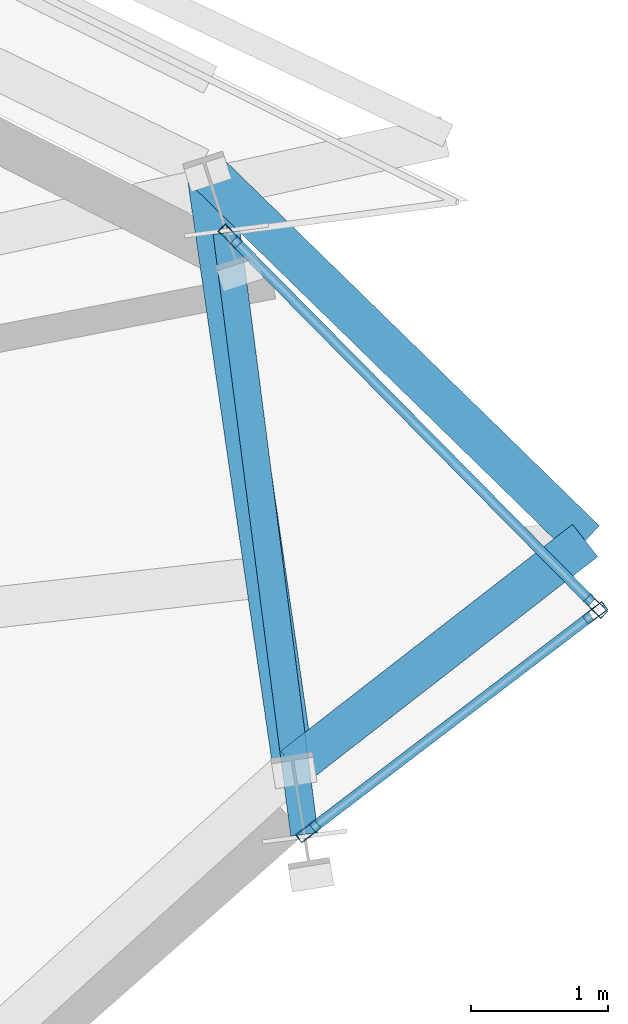
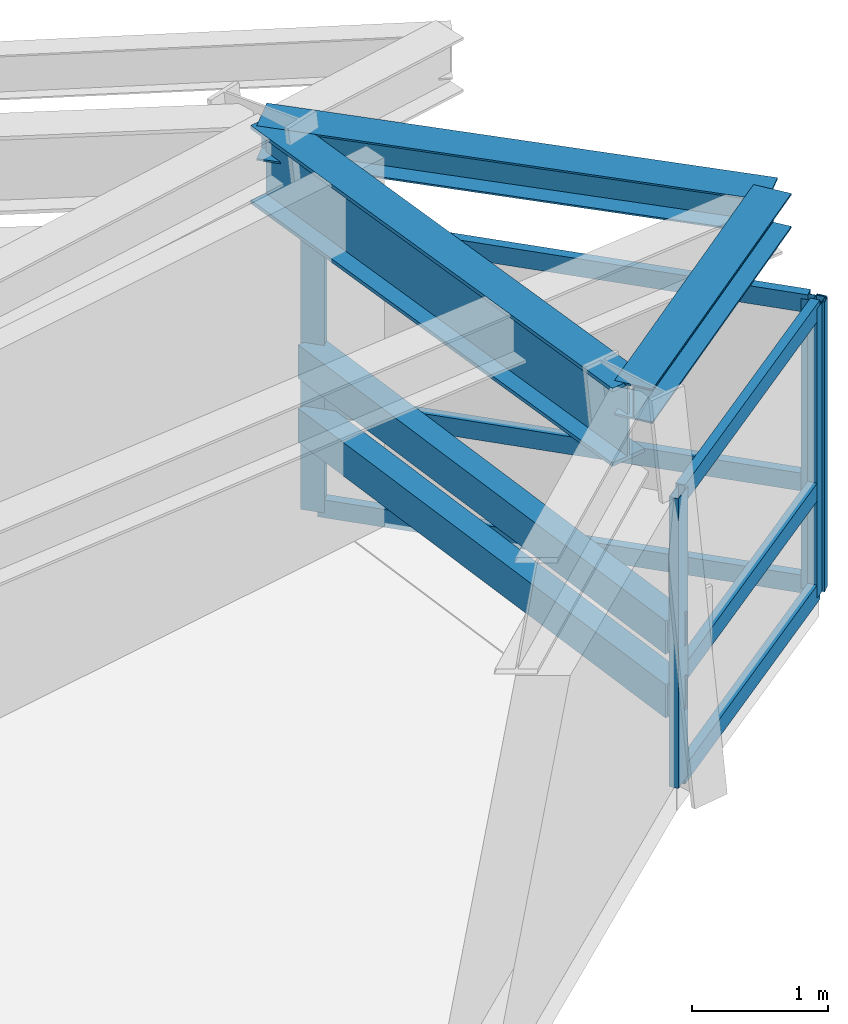
# One storey, part 8 of 24: 12 members, 3 beams, 2 elements without a shape of their own.
"""IFC4 building model written with IfcOpenShell, lengths in metres."""

from ifc_helpers import new_model, si_unit, direction, frame, origin, origin_2d, place, context, subcontext, project, spatial, hollow_rectangle, i_section, extrude, source, transform, mapped, material, material_profile, profile_set, type_object, element, aggregate, save


model = new_model("IFC4")

# Units and contexts
model_context = context("Model", 3, precision=1e-05, world=origin(), true_north=direction((0.0, 1.0)))
body_context = subcontext(model_context, "Body", "Model", "MODEL_VIEW")
ifc_project = project(units=[si_unit("LENGTHUNIT", "METRE"), si_unit("AREAUNIT", "SQUARE_METRE"), si_unit("VOLUMEUNIT", "CUBIC_METRE"), si_unit("PLANEANGLEUNIT", "RADIAN"), si_unit("MASSUNIT", "GRAM", prefix="KILO")], contexts=[model_context])

# Site, building, storey
site_placement = place(None, origin())
site = spatial("IfcSite", under=ifc_project, at=site_placement, CompositionType="ELEMENT")
building_placement = place(site_placement, origin())
building = spatial("IfcBuilding", under=site, at=building_placement, Name="Olszyna Solenne Hotel", CompositionType="ELEMENT")
storey_placement = place(building_placement, frame((0.0, 0.0, 64.800048828125)))
storey = spatial("IfcBuildingStorey", under=building, at=storey_placement, Name="L16", CompositionType="ELEMENT", Elevation=64.800048828125)

# Beams
ifc_material_1 = material(Name="Steel S355J2", Category="steel")
ifc_material_profile_1 = material_profile(ifc_material_1, i_section(OverallWidth=0.300048828125, OverallDepth=0.699951171875, WebThickness=0.01708984375, FlangeThickness=0.031982421875, at=origin_2d()), Name="HEB 700", Category="load-bearing")
ifc_profile_set_1 = profile_set([ifc_material_profile_1], Name="Steel S355J2")
beam_type_1 = type_object("IfcBeamType", Name="BM-S1", PredefinedType="BEAM", material=ifc_profile_set_1)
shared_shape_1 = source(origin(), body_context, "Body", "SweptSolid", [
    extrude(i_section(OverallWidth=0.300048828125, OverallDepth=0.699951171875, WebThickness=0.01708984375, FlangeThickness=0.031982421875, at=origin_2d()), origin(), (0.0, 0.0, 1.0), 4.28173828125),
])
beam_1_placement = place(storey_placement, frame((68.4697265625, 29.0244140625, 2.949951171875), z_axis=(-0.14352053203, 0.989647339655, 0.0), x_axis=(-0.989647339655, -0.14352053203, 0.0)))
element("IfcBeam", 1, at=beam_1_placement, inside=storey, type_object=beam_type_1, Name="Perimeter spandrel beam BM-S1 B-L16-0495", PredefinedType="BEAM", context=body_context, shape_type="MappedRepresentation", body=[
    mapped(shared_shape_1, transform((0.0, 0.0, 0.0), x_axis=(1.0, 0.0, 0.0), y_axis=(0.0, 1.0, 0.0), z_axis=(0.0, 0.0, 1.0), scale=1.0)),
])
ifc_material_profile_2 = material_profile(ifc_material_1, i_section(OverallWidth=0.300048828125, OverallDepth=0.31005859375, WebThickness=0.009033203125, FlangeThickness=0.015380859375, at=origin_2d()), Name="HEA 320", Category="load-bearing")
ifc_profile_set_2 = profile_set([ifc_material_profile_2], Name="Steel S355J2")
beam_type_2 = type_object("IfcBeamType", Name="BM-G3", PredefinedType="BEAM", material=ifc_profile_set_2)
shared_shape_2 = source(origin(), body_context, "Body", "SweptSolid", [
    extrude(i_section(OverallWidth=0.300048828125, OverallDepth=0.31005859375, WebThickness=0.009033203125, FlangeThickness=0.015380859375, at=origin_2d()), origin(), (0.0, 0.0, 1.0), 2.70263671875),
])
beam_2_placement = place(storey_placement, frame((68.478271484375, 28.965087890625, 3.14501953125), z_axis=(0.78963912607, 0.613571552942, 0.0), x_axis=(-0.613571552942, 0.78963912607, 0.0)))
element("IfcBeam", 2, at=beam_2_placement, inside=storey, type_object=beam_type_2, Name="Prism side edge beam BM-G3 B-L16-0516", PredefinedType="BEAM", context=body_context, shape_type="MappedRepresentation", body=[
    mapped(shared_shape_2, transform((0.0, 0.0, 0.0), x_axis=(1.0, 0.0, 0.0), y_axis=(0.0, 1.0, 0.0), z_axis=(0.0, 0.0, 1.0), scale=1.0)),
])
shared_shape_3 = source(origin(), body_context, "Body", "SweptSolid", [
    extrude(i_section(OverallWidth=0.300048828125, OverallDepth=0.31005859375, WebThickness=0.009033203125, FlangeThickness=0.015380859375, at=origin_2d()), origin(), (0.0, 0.0, 1.0), 3.86376953125),
])
beam_3_placement = place(storey_placement, frame((67.8466796875, 33.3212890625, 3.14501953125), z_axis=(0.715804288507, -0.698300952709, 0.0), x_axis=(0.698300952709, 0.715804288507, 0.0)))
element("IfcBeam", 3, at=beam_3_placement, inside=storey, type_object=beam_type_2, Name="Prism side edge beam BM-G3 B-L16-0517", PredefinedType="BEAM", context=body_context, shape_type="MappedRepresentation", body=[
    mapped(shared_shape_3, transform((0.0, 0.0, 0.0), x_axis=(1.0, 0.0, 0.0), y_axis=(0.0, 1.0, 0.0), z_axis=(0.0, 0.0, 1.0), scale=1.0)),
])

# Members
ifc_material_profile_3 = material_profile(ifc_material_1, hollow_rectangle(XDim=0.199951171875, YDim=0.300048828125, WallThickness=0.01611328125, at=origin_2d()), Name="RHS 300x200x16", Category="load-bearing")
ifc_profile_set_3 = profile_set([ifc_material_profile_3], Name="Steel S355J2")
member_type_1 = type_object("IfcMemberType", Name="CH-PR1", PredefinedType="CHORD", material=ifc_profile_set_3)
shared_shape_4 = source(origin(), body_context, "Body", "SweptSolid", [
    extrude(hollow_rectangle(XDim=0.199951171875, YDim=0.300048828125, WallThickness=0.01611328125, at=origin_2d()), origin(), (0.0, 0.0, 1.0), 4.43994140625),
])
for number, where, z_axis, x_axis, name in (
    (4, (68.557861328125, 28.47314453125, 1.349853515625), (-0.127952146014, 0.991780342783, 0.0), (-0.991780342783, -0.127952146014, 0.0), "Glass-prism tie chord CH-PR1 M-L16-PR1"),
    (5, (68.557861328125, 28.47314453125, 0.780029296875), (-0.127952146014, 0.991780342783, 0.0), (-0.991780342783, -0.127952146014, 0.0), "Glass-prism tie chord CH-PR1 M-L16-PR2"),
):
    element("IfcMember", number, at=place(storey_placement, frame(where, z_axis=z_axis, x_axis=x_axis)), inside=storey, type_object=member_type_1, Name=name, PredefinedType="CHORD", context=body_context, shape_type="MappedRepresentation", body=[
        mapped(shared_shape_4, transform((0.0, 0.0, 0.0), x_axis=(1.0, 0.0, 0.0), y_axis=(0.0, 1.0, 0.0), z_axis=(0.0, 0.0, 1.0), scale=1.0)),
    ])

# Curtain wall, members
ifc_material_2 = material(Name="Anodised bronze aluminium", Category="aluminium")
curtain_wall_type = type_object("IfcCurtainWallType", Name="CW-SYS-5", PredefinedType="NOTDEFINED", material=ifc_material_2)
curtain_wall_1_placement = place(storey_placement, origin())
curtain_wall_1 = element("IfcCurtainWall", 6, at=curtain_wall_1_placement, inside=storey, type_object=curtain_wall_type, Name="Unitised curtain wall CW-SYS-5 CW-L16-03", PredefinedType="NOTDEFINED")
ifc_material_profile_4 = material_profile(ifc_material_2, hollow_rectangle(XDim=0.074951171875, YDim=0.179931640625, WallThickness=0.00439453125, at=origin_2d()), Name="MULL 180x75x4.5", Category="load-bearing")
ifc_profile_set_4 = profile_set([ifc_material_profile_4], Name="Anodised bronze aluminium")
member_type_2 = type_object("IfcMemberType", Name="CW-M2", PredefinedType="MULLION", material=ifc_profile_set_4)
shared_shape_5 = source(origin(), body_context, "Body", "SweptSolid", [
    extrude(hollow_rectangle(XDim=0.074951171875, YDim=0.179931640625, WallThickness=0.00439453125, at=origin_2d()), origin(), (0.0, 0.0, 1.0), 2.592041015625),
])
member_1_placement = place(storey_placement, frame((68.01611328125, 32.849853515625, 0.0), z_axis=(0.0, 0.0, 1.0), x_axis=(0.711527192727, 0.702658561472, 0.0)))
member_1 = element("IfcMember", 7, at=member_1_placement, type_object=member_type_2, Name="Curtain-wall mullion CW-M2 CM-L16-03-01", PredefinedType="MULLION", context=body_context, shape_type="MappedRepresentation", body=[
    mapped(shared_shape_5, transform((0.0, 0.0, 0.0), x_axis=(1.0, 0.0, 0.0), y_axis=(0.0, 1.0, 0.0), z_axis=(0.0, 0.0, 1.0), scale=1.0)),
])
member_2_placement = place(storey_placement, frame((70.68896484375, 30.143310546875, 0.0), z_axis=(0.0, 0.0, 1.0), x_axis=(0.711527192727, 0.702658561472, 0.0)))
member_2 = element("IfcMember", 8, at=member_2_placement, type_object=member_type_2, Name="Curtain-wall mullion CW-M2 CM-L16-03-02", PredefinedType="MULLION", context=body_context, shape_type="MappedRepresentation", body=[
    mapped(shared_shape_5, transform((0.0, 0.0, 0.0), x_axis=(1.0, 0.0, 0.0), y_axis=(0.0, 1.0, 0.0), z_axis=(0.0, 0.0, 1.0), scale=1.0)),
])

curtain_wall_2_placement = place(storey_placement, origin())
curtain_wall_2 = element("IfcCurtainWall", 9, at=curtain_wall_2_placement, inside=storey, type_object=curtain_wall_type, Name="Unitised curtain wall CW-SYS-5 CW-L16-04", PredefinedType="NOTDEFINED")
member_3_placement = place(storey_placement, frame((68.587646484375, 28.495849609375, 0.0), z_axis=(0.0, 0.0, 1.0), x_axis=(-0.605988778942, 0.795473192381, 0.0)))
member_3 = element("IfcMember", 10, at=member_3_placement, type_object=member_type_2, Name="Curtain-wall mullion CW-M2 CM-L16-04-01", PredefinedType="MULLION", context=body_context, shape_type="MappedRepresentation", body=[
    mapped(shared_shape_5, transform((0.0, 0.0, 0.0), x_axis=(1.0, 0.0, 0.0), y_axis=(0.0, 1.0, 0.0), z_axis=(0.0, 0.0, 1.0), scale=1.0)),
])
member_4_placement = place(storey_placement, frame((70.685302734375, 30.093994140625, 0.0), z_axis=(0.0, 0.0, 1.0), x_axis=(-0.605988778942, 0.795473192381, 0.0)))
member_4 = element("IfcMember", 11, at=member_4_placement, type_object=member_type_2, Name="Curtain-wall mullion CW-M2 CM-L16-04-02", PredefinedType="MULLION", context=body_context, shape_type="MappedRepresentation", body=[
    mapped(shared_shape_5, transform((0.0, 0.0, 0.0), x_axis=(1.0, 0.0, 0.0), y_axis=(0.0, 1.0, 0.0), z_axis=(0.0, 0.0, 1.0), scale=1.0)),
])

# Member
ifc_material_profile_5 = material_profile(ifc_material_2, hollow_rectangle(XDim=0.074951171875, YDim=0.159912109375, WallThickness=0.00390625, at=origin_2d()), Name="TRAN 160x75x4", Category="load-bearing")
ifc_profile_set_5 = profile_set([ifc_material_profile_5], Name="Anodised bronze aluminium")
member_type_3 = type_object("IfcMemberType", Name="CW-T1", PredefinedType="USERDEFINED", material=ifc_profile_set_5)
shared_shape_6 = source(origin(), body_context, "Body", "SweptSolid", [
    extrude(hollow_rectangle(XDim=0.074951171875, YDim=0.159912109375, WallThickness=0.00390625, at=origin_2d()), origin(), (0.0, 0.0, 1.0), 3.728759765625),
])
member_5_placement = place(storey_placement, frame((68.04248046875, 32.8232421875, 0.037353515625), z_axis=(0.702673433965, -0.711512505301, 0.0), x_axis=(0.711512505301, 0.702673433965, 0.0)))
member_5 = element("IfcMember", 12, at=member_5_placement, type_object=member_type_3, Name="Curtain-wall transom CW-T1 CT-L16-03-01", ObjectType="TRANSOM", PredefinedType="USERDEFINED", context=body_context, shape_type="MappedRepresentation", body=[
    mapped(shared_shape_6, transform((0.0, 0.0, 0.0), x_axis=(1.0, 0.0, 0.0), y_axis=(0.0, 1.0, 0.0), z_axis=(0.0, 0.0, 1.0), scale=1.0)),
])

member_6_placement = place(storey_placement, frame((68.04248046875, 32.8232421875, 0.949951171875), z_axis=(0.702673433965, -0.711512505301, 0.0), x_axis=(0.711512505301, 0.702673433965, 0.0)))
member_6 = element("IfcMember", 13, at=member_6_placement, type_object=member_type_3, Name="Curtain-wall transom CW-T1 CT-L16-03-02", ObjectType="TRANSOM", PredefinedType="USERDEFINED", context=body_context, shape_type="MappedRepresentation", body=[
    mapped(shared_shape_6, transform((0.0, 0.0, 0.0), x_axis=(1.0, 0.0, 0.0), y_axis=(0.0, 1.0, 0.0), z_axis=(0.0, 0.0, 1.0), scale=1.0)),
])

member_7_placement = place(storey_placement, frame((68.04248046875, 32.8232421875, 2.554443359375), z_axis=(0.702673433965, -0.711512505301, 0.0), x_axis=(0.711512505301, 0.702673433965, 0.0)))
member_7 = element("IfcMember", 14, at=member_7_placement, type_object=member_type_3, Name="Curtain-wall transom CW-T1 CT-L16-03-03", ObjectType="TRANSOM", PredefinedType="USERDEFINED", context=body_context, shape_type="MappedRepresentation", body=[
    mapped(shared_shape_6, transform((0.0, 0.0, 0.0), x_axis=(1.0, 0.0, 0.0), y_axis=(0.0, 1.0, 0.0), z_axis=(0.0, 0.0, 1.0), scale=1.0)),
])

aggregate(curtain_wall_1, [member_1, member_2, member_5, member_6, member_7])

shared_shape_7 = source(origin(), body_context, "Body", "SweptSolid", [
    extrude(hollow_rectangle(XDim=0.074951171875, YDim=0.159912109375, WallThickness=0.00390625, at=origin_2d()), origin(), (0.0, 0.0, 1.0), 2.562255859375),
])
member_8_placement = place(storey_placement, frame((68.617431640625, 28.5185546875, 0.037353515625), z_axis=(0.795449218458, 0.606020247891, 0.0), x_axis=(-0.606020247891, 0.795449218458, 0.0)))
member_8 = element("IfcMember", 15, at=member_8_placement, type_object=member_type_3, Name="Curtain-wall transom CW-T1 CT-L16-04-01", ObjectType="TRANSOM", PredefinedType="USERDEFINED", context=body_context, shape_type="MappedRepresentation", body=[
    mapped(shared_shape_7, transform((0.0, 0.0, 0.0), x_axis=(1.0, 0.0, 0.0), y_axis=(0.0, 1.0, 0.0), z_axis=(0.0, 0.0, 1.0), scale=1.0)),
])

member_9_placement = place(storey_placement, frame((68.617431640625, 28.5185546875, 0.949951171875), z_axis=(0.795449218458, 0.606020247891, 0.0), x_axis=(-0.606020247891, 0.795449218458, 0.0)))
member_9 = element("IfcMember", 16, at=member_9_placement, type_object=member_type_3, Name="Curtain-wall transom CW-T1 CT-L16-04-02", ObjectType="TRANSOM", PredefinedType="USERDEFINED", context=body_context, shape_type="MappedRepresentation", body=[
    mapped(shared_shape_7, transform((0.0, 0.0, 0.0), x_axis=(1.0, 0.0, 0.0), y_axis=(0.0, 1.0, 0.0), z_axis=(0.0, 0.0, 1.0), scale=1.0)),
])

member_10_placement = place(storey_placement, frame((68.617431640625, 28.5185546875, 2.554443359375), z_axis=(0.795449218458, 0.606020247891, 0.0), x_axis=(-0.606020247891, 0.795449218458, 0.0)))
member_10 = element("IfcMember", 17, at=member_10_placement, type_object=member_type_3, Name="Curtain-wall transom CW-T1 CT-L16-04-03", ObjectType="TRANSOM", PredefinedType="USERDEFINED", context=body_context, shape_type="MappedRepresentation", body=[
    mapped(shared_shape_7, transform((0.0, 0.0, 0.0), x_axis=(1.0, 0.0, 0.0), y_axis=(0.0, 1.0, 0.0), z_axis=(0.0, 0.0, 1.0), scale=1.0)),
])

aggregate(curtain_wall_2, [member_3, member_4, member_8, member_9, member_10])

save(model, "model.ifc")
